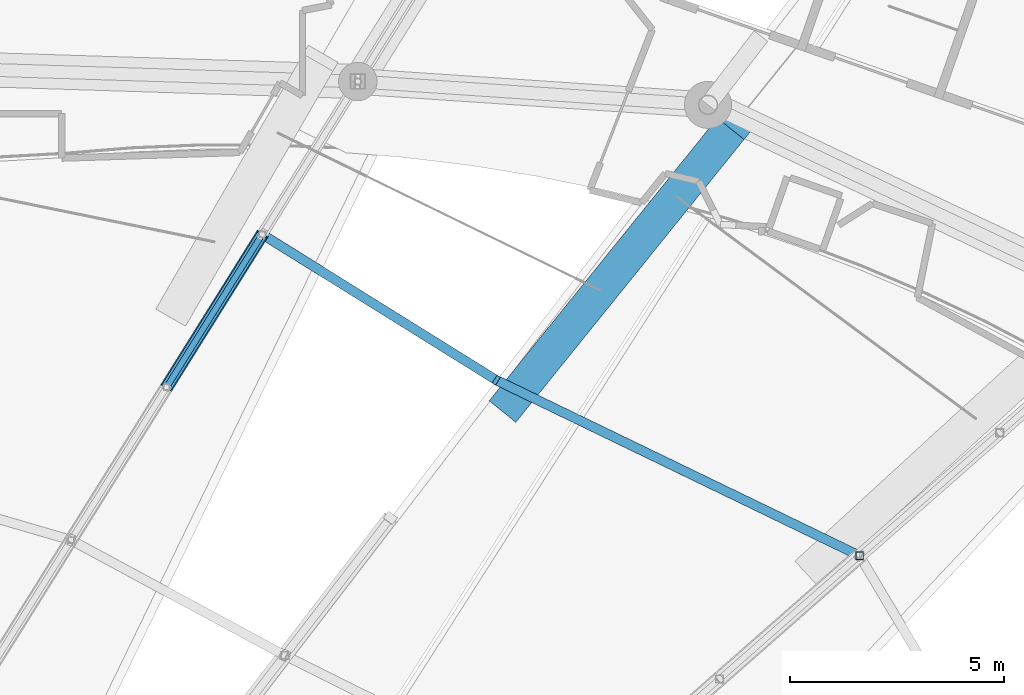
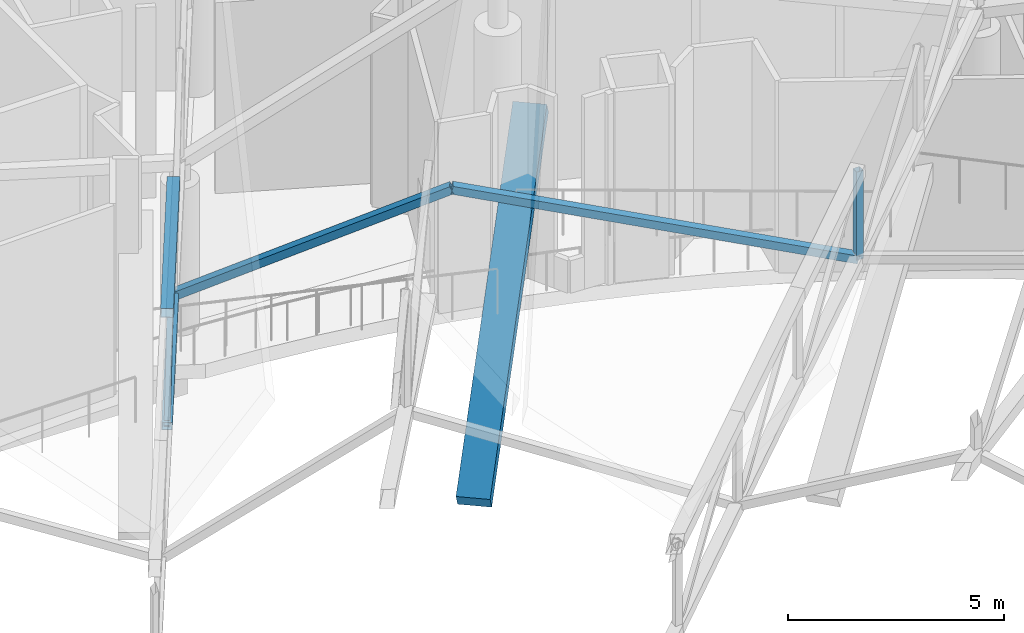
# One storey, part 191 of 344: 6 members, 1 beam.
"""IFC4 building model written with IfcOpenShell, lengths in metres."""

from ifc_helpers import new_model, si_unit, direction, frame, origin, origin_2d, place, context, subcontext, project, spatial, rectangle, hollow_rectangle, extrude, material, material_profile, profile_set, type_object, element, save


model = new_model("IFC4")

# Units and contexts
model_context = context("Model", 3, precision=1e-05, world=origin(), true_north=direction((0.0, 1.0)))
body_context = subcontext(model_context, "Body", "Model", "MODEL_VIEW")
ifc_project = project(units=[si_unit("LENGTHUNIT", "METRE"), si_unit("AREAUNIT", "SQUARE_METRE"), si_unit("VOLUMEUNIT", "CUBIC_METRE"), si_unit("PLANEANGLEUNIT", "RADIAN"), si_unit("MASSUNIT", "GRAM", prefix="KILO")], contexts=[model_context])

# Site, building, storey
site_placement = place(None, origin())
site = spatial("IfcSite", under=ifc_project, at=site_placement, CompositionType="ELEMENT")
building_placement = place(site_placement, origin())
building = spatial("IfcBuilding", under=site, at=building_placement, Name="Meseta Stadium", CompositionType="ELEMENT")
storey_placement = place(building_placement, frame((0.0, 0.0, 24.0)))
storey = spatial("IfcBuildingStorey", under=building, at=storey_placement, Name="L04", CompositionType="ELEMENT", Elevation=24.0)

# Beam
ifc_material_1 = material(Name="Concrete C40/50", Category="concrete")
ifc_material_profile_1 = material_profile(ifc_material_1, rectangle(XDim=0.800048828125, YDim=0.449951171875, at=origin_2d()), Name="RC 800x450")
ifc_profile_set_1 = profile_set([ifc_material_profile_1], Name="Concrete C40/50")
beam_type = type_object("IfcBeamType", Name="RC raker upper rear 800x450", PredefinedType="USERDEFINED", material=ifc_profile_set_1)
beam_placement = place(storey_placement, frame((49.791015625, 82.498779296875, -1.587646484375), z_axis=(0.533000219927, 0.660412282013, 0.528929469139), x_axis=(-0.778177101926, 0.628044901292, 0.0)))
element("IfcBeam", 1, at=beam_placement, inside=storey, type_object=beam_type, Name="Raker upper rear frame 14 upper tier", ObjectType="RAKER", PredefinedType="USERDEFINED", context=body_context, shape_type="SweptSolid", body=[
    extrude(rectangle(XDim=0.800048828125, YDim=0.449951171875, at=origin_2d()), origin(), (0.0, 0.0, 1.0), 10.015625),
])

# Members
ifc_material_2 = material(Name="Steel S355", Category="steel")
ifc_material_profile_2 = material_profile(ifc_material_2, hollow_rectangle(XDim=0.139892578125, YDim=0.139892578125, WallThickness=0.0048828125, at=origin_2d()), Name="SHS 140x140x5")
ifc_profile_set_2 = profile_set([ifc_material_profile_2], Name="Steel S355")
member_type_1 = type_object("IfcMemberType", Name="SHS 140x140x5 diagonal", PredefinedType="BRACE", material=ifc_profile_set_2)
member_1_placement = place(storey_placement, frame((41.861328125, 82.97607421875, 3.040771484375), z_axis=(0.385662865992, 0.616647886735, 0.686301346043), x_axis=(-0.847838876292, 0.530253939021, 0.0)))
element("IfcMember", 2, at=member_1_placement, inside=storey, type_object=member_type_1, Name="ROOF TRUSS RT-15 diagonal", PredefinedType="BRACE", context=body_context, shape_type="SweptSolid", body=[
    extrude(hollow_rectangle(XDim=0.139892578125, YDim=0.139892578125, WallThickness=0.0048828125, at=origin_2d()), origin(), (0.0, 0.0, 1.0), 5.79736328125),
])
ifc_material_3 = material(Name="Steel S355", Category="steel")
ifc_material_profile_3 = material_profile(ifc_material_3, hollow_rectangle(XDim=0.179931640625, YDim=0.179931640625, WallThickness=0.00634765625, at=origin_2d()), Name="SHS 180x180x6.3")
ifc_profile_set_3 = profile_set([ifc_material_profile_3], Name="Steel S355")
member_type_2 = type_object("IfcMemberType", Name="SHS 180x180x6.3 post", PredefinedType="POST", material=ifc_profile_set_3)
member_2_placement = place(storey_placement, frame((58.068115234375, 79.032470703125, 4.52734375), z_axis=(0.0, 0.0, 1.0), x_axis=(1.0, 0.0, 0.0)))
element("IfcMember", 3, at=member_2_placement, inside=storey, type_object=member_type_2, Name="ROOF TRUSS RT-13 post", PredefinedType="POST", context=body_context, shape_type="SweptSolid", body=[
    extrude(hollow_rectangle(XDim=0.179931640625, YDim=0.179931640625, WallThickness=0.00634765625, at=origin_2d()), origin(), (0.0, 0.0, 1.0), 2.49365234375),
])
ifc_material_4 = material(Name="Steel S355", Category="steel")
ifc_material_profile_4 = material_profile(ifc_material_4, hollow_rectangle(XDim=0.219970703125, YDim=0.219970703125, WallThickness=0.008056640625, at=origin_2d()), Name="SHS 220x220x8")
ifc_profile_set_4 = profile_set([ifc_material_profile_4], Name="Steel S355")
member_type_3 = type_object("IfcMemberType", Name="SHS 220x220x8 strut", PredefinedType="STRUT", material=ifc_profile_set_4)
member_3_placement = place(storey_placement, frame((58.068115234375, 79.032470703125, 4.52734375), z_axis=(-0.871165468885, 0.421362077289, 0.252041118958), x_axis=(-0.435418912506, -0.900227954816, 0.0)))
element("IfcMember", 4, at=member_3_placement, inside=storey, type_object=member_type_3, Name="ROOF TRUSS STRUT RT-13/14", PredefinedType="STRUT", context=body_context, shape_type="SweptSolid", body=[
    extrude(hollow_rectangle(XDim=0.219970703125, YDim=0.219970703125, WallThickness=0.008056640625, at=origin_2d()), origin(), (0.0, 0.0, 1.0), 9.75146484375),
])
member_4_placement = place(storey_placement, frame((49.572998046875, 83.141357421875, 6.985107421875), z_axis=(-0.762068858713, 0.474521988532, -0.440545045346), x_axis=(-0.528579551307, -0.84888377175, 0.0)))
element("IfcMember", 5, at=member_4_placement, inside=storey, type_object=member_type_3, Name="ROOF TRUSS STRUT RT-14/15", PredefinedType="STRUT", context=body_context, shape_type="SweptSolid", body=[
    extrude(hollow_rectangle(XDim=0.219970703125, YDim=0.219970703125, WallThickness=0.008056640625, at=origin_2d()), origin(), (0.0, 0.0, 1.0), 7.185546875),
])
ifc_material_5 = material(Name="Steel S355", Category="steel")
ifc_material_profile_5 = material_profile(ifc_material_5, hollow_rectangle(XDim=0.25, YDim=0.25, WallThickness=0.010009765625, at=origin_2d()), Name="SHS 250x250x10")
ifc_profile_set_5 = profile_set([ifc_material_profile_5], Name="Steel S355")
member_type_4 = type_object("IfcMemberType", Name="SHS 250x250x10 bottom chord", PredefinedType="CHORD", material=ifc_profile_set_5)
member_5_placement = place(storey_placement, frame((41.861328125, 82.97607421875, 3.040771484375), z_axis=(0.521434116644, 0.833736598604, 0.181630796254), x_axis=(-0.847838876292, 0.530253939021, 0.0)))
element("IfcMember", 6, at=member_5_placement, inside=storey, type_object=member_type_4, Name="ROOF TRUSS RT-15 bottom chord", PredefinedType="CHORD", context=body_context, shape_type="SweptSolid", body=[
    extrude(hollow_rectangle(XDim=0.25, YDim=0.25, WallThickness=0.010009765625, at=origin_2d()), origin(), (0.0, 0.0, 1.0), 4.287841796875),
])
ifc_material_6 = material(Name="Steel S355", Category="steel")
ifc_material_profile_6 = material_profile(ifc_material_6, hollow_rectangle(XDim=0.300048828125, YDim=0.300048828125, WallThickness=0.010009765625, at=origin_2d()), Name="SHS 300x300x10")
ifc_profile_set_6 = profile_set([ifc_material_profile_6], Name="Steel S355")
member_type_5 = type_object("IfcMemberType", Name="SHS 300x300x10 top chord", PredefinedType="CHORD", material=ifc_profile_set_6)
member_6_placement = place(storey_placement, frame((41.861328125, 82.97607421875, 6.24072265625), z_axis=(0.521434116644, 0.833736598604, 0.181630796254), x_axis=(-0.847838876292, 0.530253939021, 0.0)))
element("IfcMember", 7, at=member_6_placement, inside=storey, type_object=member_type_5, Name="ROOF TRUSS RT-15 top chord", PredefinedType="CHORD", context=body_context, shape_type="SweptSolid", body=[
    extrude(hollow_rectangle(XDim=0.300048828125, YDim=0.300048828125, WallThickness=0.010009765625, at=origin_2d()), origin(), (0.0, 0.0, 1.0), 4.287841796875),
])

save(model, "model.ifc")
